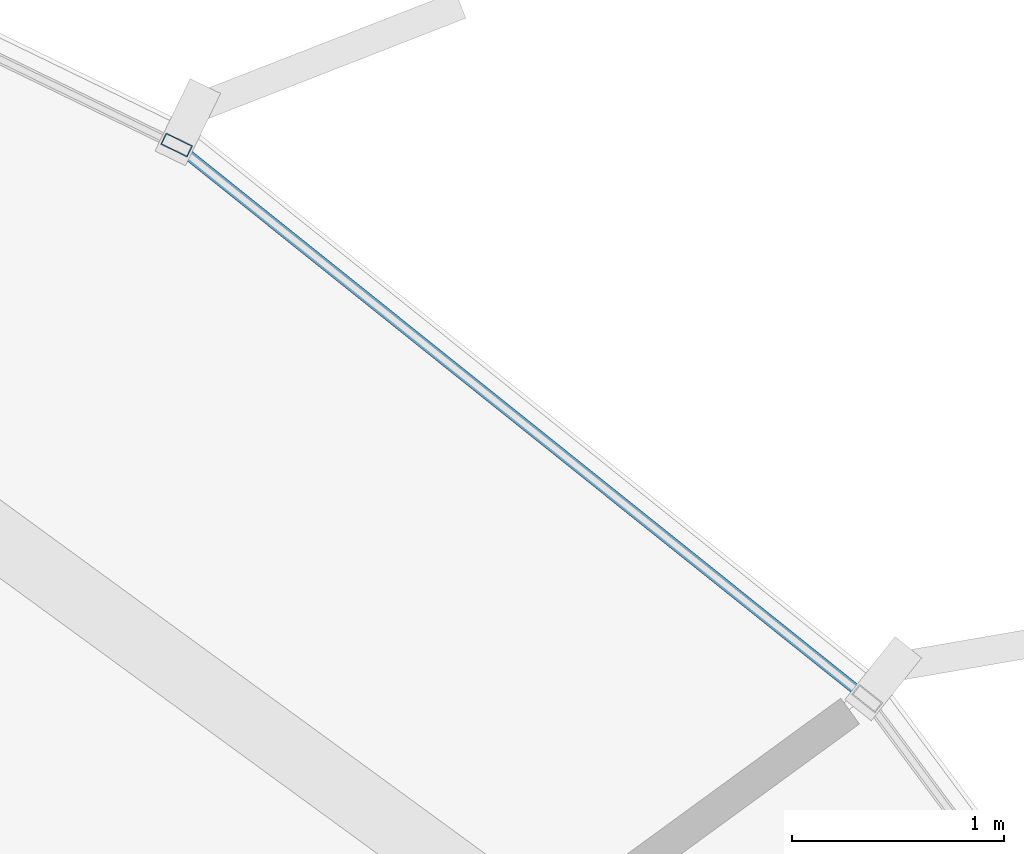
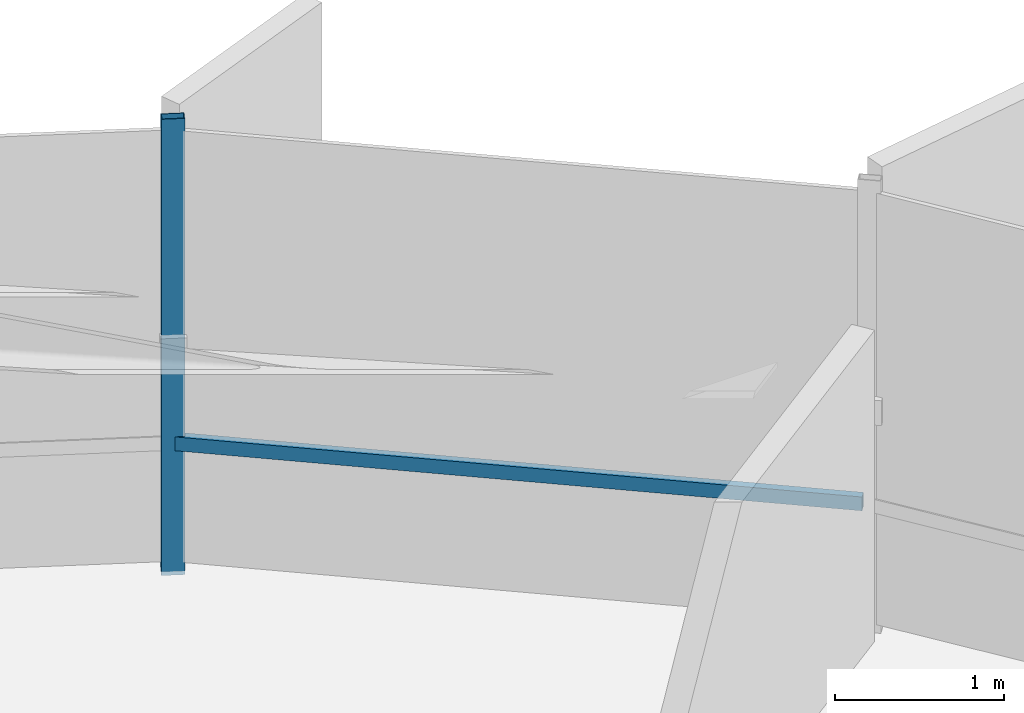
# One storey, part 26 of 36: 2 members, 1 element without a shape of its own.
"""IFC4 building model written with IfcOpenShell, lengths in metres."""

from ifc_helpers import new_model, si_unit, direction, frame, origin, origin_2d, place, context, subcontext, project, spatial, hollow_rectangle, extrude, source, transform, mapped, material, layer, layer_set, material_profile, profile_set, type_object, element, aggregate, save


model = new_model("IFC4")

# Units and contexts
model_context = context("Model", 3, precision=1e-05, world=origin(), true_north=direction((0.0, 1.0)))
body_context = subcontext(model_context, "Body", "Model", "MODEL_VIEW")
ifc_project = project(units=[si_unit("LENGTHUNIT", "METRE"), si_unit("AREAUNIT", "SQUARE_METRE"), si_unit("VOLUMEUNIT", "CUBIC_METRE"), si_unit("PLANEANGLEUNIT", "RADIAN"), si_unit("MASSUNIT", "GRAM", prefix="KILO"), si_unit("THERMODYNAMICTEMPERATUREUNIT", "KELVIN")], contexts=[model_context])

# Site, building, storey
site_placement = place(None, origin())
site = spatial("IfcSite", under=ifc_project, at=site_placement, CompositionType="ELEMENT")
building_placement = place(site_placement, origin())
building = spatial("IfcBuilding", under=site, at=building_placement, Name="Kethvar Cultural Tower", CompositionType="ELEMENT")
storey_placement = place(building_placement, frame((0.0, 0.0, 150.10009765625)))
storey = spatial("IfcBuildingStorey", under=building, at=storey_placement, Name="L38", CompositionType="ELEMENT", Elevation=150.10009765625)

# Curtain wall, members
ifc_material = material(Name="Aluminium 6063-T6", Category="aluminium")
ifc_layer = layer(ifc_material, 0.179931640625, Name="Aluminium 6063-T6", Category="aluminium")
ifc_layer_set = layer_set([ifc_layer], Name="Aluminium 6063-T6 (180 mm)")
curtain_wall_type = type_object("IfcCurtainWallType", Name="CW-SYS-04-Z34", PredefinedType="NOTDEFINED", material=ifc_layer_set)
curtain_wall_placement = place(storey_placement, origin())
curtain_wall = element("IfcCurtainWall", 1, at=curtain_wall_placement, inside=storey, type_object=curtain_wall_type, Name="L38 Curtain Wall Run 01", PredefinedType="NOTDEFINED")
ifc_material_profile_1 = material_profile(ifc_material, hollow_rectangle(XDim=0.06005859375, YDim=0.139892578125, WallThickness=0.0048828125, at=origin_2d()), Name="Aluminium 6063-T6 — RHS140x60x5")
ifc_profile_set_1 = profile_set([ifc_material_profile_1], Name="Aluminium 6063-T6 — RHS140x60x5")
member_type_1 = type_object("IfcMemberType", Name="CW-SYS-04-Z34-MUL", PredefinedType="MULLION", material=ifc_profile_set_1)
shared_shape_1 = source(origin(), body_context, "Body", "SweptSolid", [
    extrude(hollow_rectangle(XDim=0.06005859375, YDim=0.139892578125, WallThickness=0.0048828125, at=origin_2d()), origin(), (0.0, 0.0, 1.0), 3.2998046875),
])
member_1_placement = place(storey_placement, frame((68.517578125, 48.667724609375, 0.0), z_axis=(0.0, 0.0, 1.0), x_axis=(-0.437052975254, -0.899435765812, 0.0)))
member_1 = element("IfcMember", 2, at=member_1_placement, type_object=member_type_1, Name="CW-L38-R01 Mullion 3", PredefinedType="MULLION", context=body_context, shape_type="MappedRepresentation", body=[
    mapped(shared_shape_1, transform((0.0, 0.0, 0.0), scale=1.0)),
])
ifc_material_profile_2 = material_profile(ifc_material, hollow_rectangle(XDim=0.050048828125, YDim=0.10009765625, WallThickness=0.00390625, at=origin_2d()), Name="Aluminium 6063-T6 — RHS100x50x4")
ifc_profile_set_2 = profile_set([ifc_material_profile_2], Name="Aluminium 6063-T6 — RHS100x50x4")
member_type_2 = type_object("IfcMemberType", Name="CW-SYS-04-Z34-TRN", PredefinedType="USERDEFINED", material=ifc_profile_set_2)
shared_shape_2 = source(origin(), body_context, "Body", "SweptSolid", [
    extrude(hollow_rectangle(XDim=0.050048828125, YDim=0.10009765625, WallThickness=0.00390625, at=origin_2d()), origin(), (0.0, 0.0, 1.0), 4.116943359375),
])
member_2_placement = place(storey_placement, frame((71.74462890625, 46.080810546875, 0.949951171875), z_axis=(-0.780643124058, 0.624977049867, 0.0), x_axis=(-0.624977049867, -0.780643124058, 0.0)))
member_2 = element("IfcMember", 3, at=member_2_placement, type_object=member_type_2, Name="CW-L38-R01 Transom 2", ObjectType="TRANSOM", PredefinedType="USERDEFINED", context=body_context, shape_type="MappedRepresentation", body=[
    mapped(shared_shape_2, transform((0.0, 0.0, 0.0), scale=1.0)),
])
aggregate(curtain_wall, [member_1, member_2])

save(model, "model.ifc")
